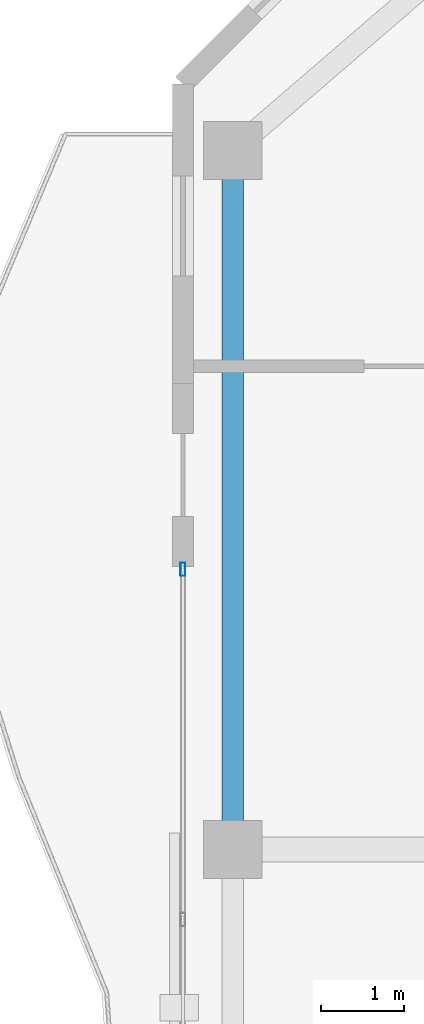
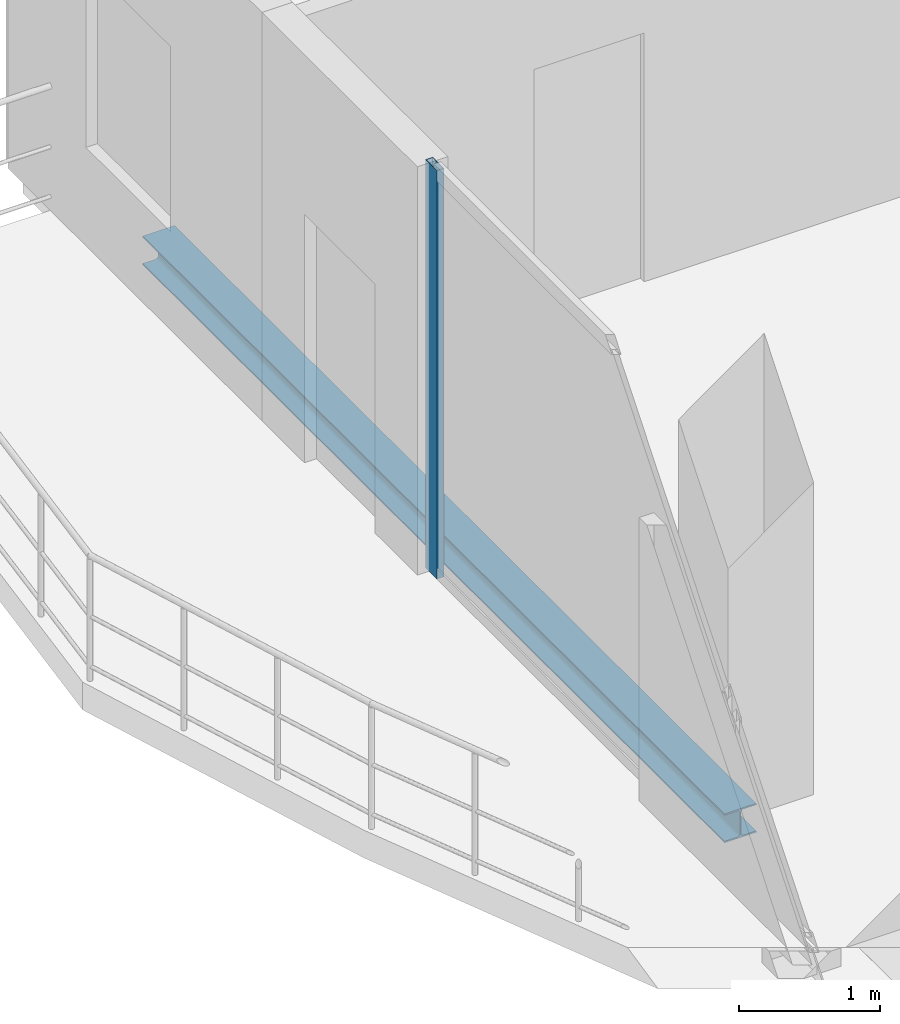
# One storey, part 12 of 23: 1 beam, 1 member, 1 element without a shape of its own.
"""IFC4 building model written with IfcOpenShell, lengths in metres."""

from ifc_helpers import new_model, si_unit, direction, frame, origin, origin_2d, place, context, subcontext, project, spatial, hollow_rectangle, i_section, extrude, material, layer, layer_set, material_profile, profile_set, type_object, element, aggregate, save


model = new_model("IFC4")

# Units and contexts
model_context = context("Model", 3, precision=1e-05, world=origin(), true_north=direction((0.0, 1.0)))
body_context = subcontext(model_context, "Body", "Model", "MODEL_VIEW")
ifc_project = project(units=[si_unit("LENGTHUNIT", "METRE"), si_unit("AREAUNIT", "SQUARE_METRE"), si_unit("VOLUMEUNIT", "CUBIC_METRE"), si_unit("PLANEANGLEUNIT", "RADIAN"), si_unit("MASSUNIT", "GRAM", prefix="KILO")], contexts=[model_context])

# Site, building, storey
site_placement = place(None, origin())
site = spatial("IfcSite", under=ifc_project, at=site_placement, CompositionType="ELEMENT")
building_placement = place(site_placement, origin())
building = spatial("IfcBuilding", under=site, at=building_placement, Name="Catumbela Crestline Tower", CompositionType="ELEMENT")
storey_placement = place(building_placement, frame((0.0, 0.0, 252.6)))
storey = spatial("IfcBuildingStorey", under=building, at=storey_placement, Name="L65", CompositionType="ELEMENT", Elevation=252.6)

# Curtain wall, member
ifc_material_1 = material(Name="Aluminium alloy AW-6060-T66", Category="aluminium")
ifc_layer = layer(ifc_material_1, 0.18, Name="Aluminium alloy AW-6060-T66")
ifc_layer_set = layer_set([ifc_layer], Name="Aluminium alloy AW-6060-T66")
curtain_wall_type = type_object("IfcCurtainWallType", Name="CWU-Z4", PredefinedType="USERDEFINED", material=ifc_layer_set)
curtain_wall_placement = place(storey_placement, origin())
curtain_wall = element("IfcCurtainWall", 1, at=curtain_wall_placement, inside=storey, type_object=curtain_wall_type, Name="L65 Unitised Curtain Wall CW-L65-E9S2", ObjectType="UNITISED", PredefinedType="USERDEFINED")
ifc_material_profile_1 = material_profile(ifc_material_1, hollow_rectangle(XDim=0.06, YDim=0.16, WallThickness=0.004, at=origin_2d()), Name="ALU 160x60x4")
ifc_profile_set_1 = profile_set([ifc_material_profile_1], Name="Aluminium alloy AW-6060-T66")
member_type = type_object("IfcMemberType", Name="MUL-160X60", PredefinedType="MULLION", material=ifc_profile_set_1)
member_placement = place(storey_placement, frame((5.0, 34.1675, 0.0), z_axis=(0.0, 0.0, 1.0), x_axis=(1.0, 0.0, 0.0)))
member = element("IfcMember", 2, at=member_placement, type_object=member_type, Name="CWU-Z4 mullion 1", PredefinedType="MULLION", context=body_context, shape_type="SweptSolid", body=[
    extrude(hollow_rectangle(XDim=0.06, YDim=0.16, WallThickness=0.004, at=origin_2d()), origin(), (0.0, 0.0, 1.0), 3.53),
])
aggregate(curtain_wall, [member])

# Beam
ifc_material_2 = material(Name="Structural steel S355J2", Category="steel")
ifc_material_profile_2 = material_profile(ifc_material_2, i_section(OverallWidth=0.26, OverallDepth=0.25, WebThickness=0.0075, FlangeThickness=0.0125, FilletRadius=0.024, at=origin_2d()), Name="HEA 260")
ifc_profile_set_2 = profile_set([ifc_material_profile_2], Name="Structural steel S355J2")
beam_type = type_object("IfcBeamType", Name="BS-HEA260", PredefinedType="SPANDREL", material=ifc_profile_set_2)
beam_placement = place(storey_placement, frame((5.6, 30.88, -0.385), z_axis=(0.0, 1.0, 0.0), x_axis=(-1.0, 0.0, 0.0)))
element("IfcBeam", 3, at=beam_placement, inside=storey, type_object=beam_type, Name="L65 Spandrel SP-L65-SN13", PredefinedType="SPANDREL", context=body_context, shape_type="SweptSolid", body=[
    extrude(i_section(OverallWidth=0.26, OverallDepth=0.25, WebThickness=0.0075, FlangeThickness=0.0125, FilletRadius=0.024, at=origin_2d()), origin(), (0.0, 0.0, 1.0), 8.24),
])

save(model, "model.ifc")
